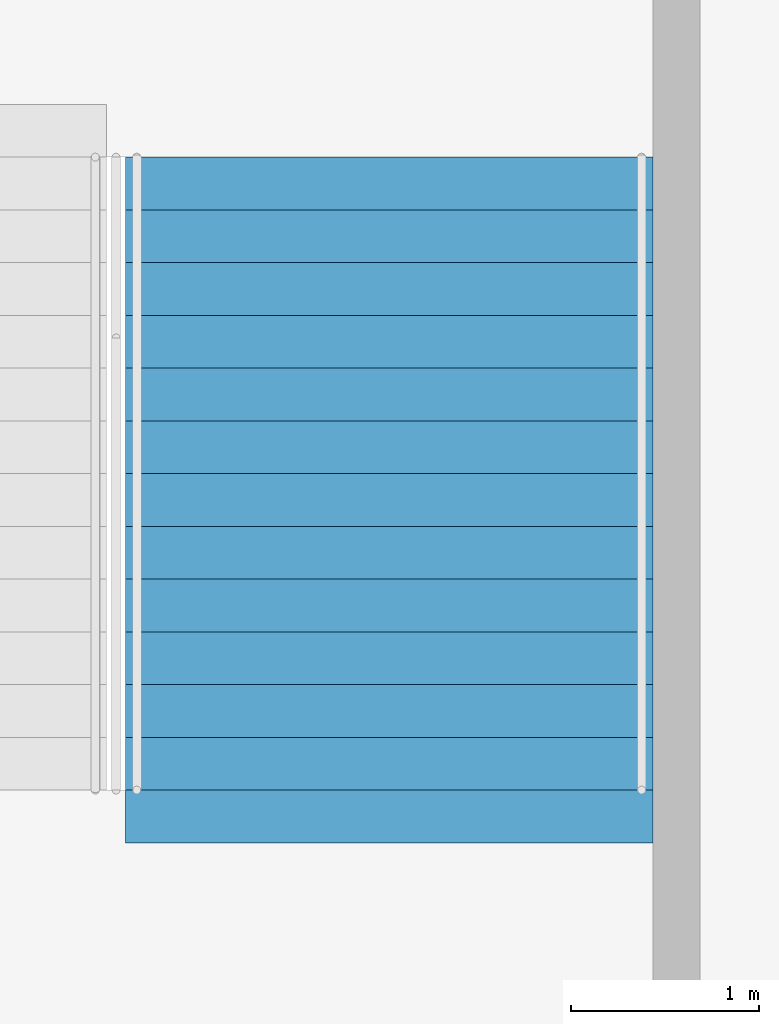
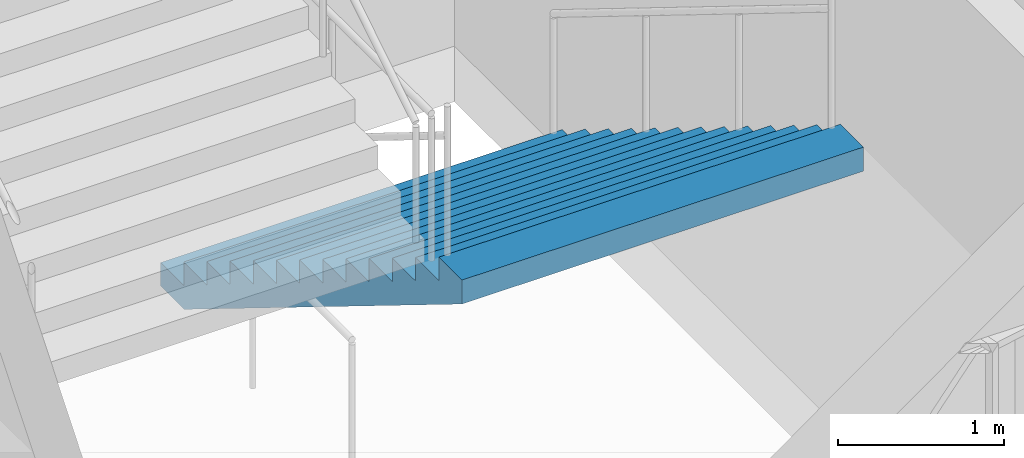
# One storey, part 127 of 199: 1 stair flight, 1 element without a shape of its own.
"""IFC4 building model written with IfcOpenShell, lengths in metres."""

from ifc_helpers import new_model, si_unit, direction, frame, origin, place, context, subcontext, project, spatial, faceted_brep, material, type_object, element, aggregate, save


model = new_model("IFC4")

# Units and contexts
model_context = context("Model", 3, precision=1e-05, world=origin(), true_north=direction((0.0, 1.0)))
body_context = subcontext(model_context, "Body", "Model", "MODEL_VIEW")
ifc_project = project(units=[si_unit("LENGTHUNIT", "METRE"), si_unit("AREAUNIT", "SQUARE_METRE"), si_unit("VOLUMEUNIT", "CUBIC_METRE"), si_unit("PLANEANGLEUNIT", "RADIAN"), si_unit("MASSUNIT", "GRAM", prefix="KILO")], contexts=[model_context])

# Site, building, storey
site_placement = place(None, origin())
site = spatial("IfcSite", under=ifc_project, at=site_placement, CompositionType="ELEMENT")
building_placement = place(site_placement, origin())
building = spatial("IfcBuilding", under=site, at=building_placement, Name="Ogive Plaza Stadium", CompositionType="ELEMENT")
storey_placement = place(building_placement, frame((0.0, 0.0, 4.5)))
storey = spatial("IfcBuildingStorey", under=building, at=storey_placement, Name="L01", CompositionType="ELEMENT", Elevation=4.5)

# Stair, stair flight
ifc_material_1 = material(Name="Concrete C40/50", Category="concrete")
stair_type = type_object("IfcStairType", Name="Exit stair", PredefinedType="STRAIGHT_RUN_STAIR", material=ifc_material_1)
stair_placement = place(storey_placement, origin())
stair = element("IfcStair", 1, at=stair_placement, inside=storey, type_object=stair_type, Name="Exit stair ST12B L01 to L02", PredefinedType="STRAIGHT_RUN_STAIR")
ifc_material_2 = material(Name="Concrete C40/50", Category="concrete")
stair_flight_type = type_object("IfcStairFlightType", Name="Exit stair flight", PredefinedType="STRAIGHT", material=ifc_material_2)
stair_flight_placement = place(storey_placement, frame((38.425048828125, -94.85009765625, 0.0), z_axis=(0.0, 0.0, 1.0), x_axis=(0.0, -1.0, 0.0)))
stair_flight = element("IfcStairFlight", 2, at=stair_flight_placement, type_object=stair_flight_type, Name="ST12B flight 1", NumberOfRisers=13, NumberOfTreads=12, PredefinedType="STRAIGHT", RiserHeight=0.173076923, TreadLength=0.28, context=body_context, shape_type="Brep", body=[
    faceted_brep([(0.28515625, -1.39990234375, 0.0), (3.639892578125, -1.39990234375, 2.07373046875), (3.639892578125, -1.39990234375, 2.25), (3.360107421875, -1.39990234375, 2.25), (3.360107421875, -1.39990234375, 2.076904296875), (3.080078125, -1.39990234375, 2.076904296875), (3.080078125, -1.39990234375, 1.90380859375), (2.800048828125, -1.39990234375, 1.90380859375), (2.800048828125, -1.39990234375, 1.730712890625), (2.52001953125, -1.39990234375, 1.730712890625), (2.52001953125, -1.39990234375, 1.5576171875), (2.239990234375, -1.39990234375, 1.5576171875), (2.239990234375, -1.39990234375, 1.384521484375), (1.9599609375, -1.39990234375, 1.384521484375), (1.9599609375, -1.39990234375, 1.21142578125), (1.679931640625, -1.39990234375, 1.21142578125), (1.679931640625, -1.39990234375, 1.03857421875), (1.39990234375, -1.39990234375, 1.03857421875), (1.39990234375, -1.39990234375, 0.865478515625), (1.1201171875, -1.39990234375, 0.865478515625), (1.1201171875, -1.39990234375, 0.6923828125), (0.840087890625, -1.39990234375, 0.6923828125), (0.840087890625, -1.39990234375, 0.519287109375), (0.56005859375, -1.39990234375, 0.519287109375), (0.56005859375, -1.39990234375, 0.34619140625), (0.280029296875, -1.39990234375, 0.34619140625), (0.280029296875, -1.39990234375, 0.173095703125), (0.0, -1.39990234375, 0.173095703125), (0.0, -1.39990234375, 0.0), (0.0, 1.39990234375, 0.0), (0.0, 1.39990234375, 0.173095703125), (0.280029296875, 1.39990234375, 0.173095703125), (0.280029296875, 1.39990234375, 0.34619140625), (0.56005859375, 1.39990234375, 0.34619140625), (0.56005859375, 1.39990234375, 0.519287109375), (0.840087890625, 1.39990234375, 0.519287109375), (0.840087890625, 1.39990234375, 0.6923828125), (1.1201171875, 1.39990234375, 0.6923828125), (1.1201171875, 1.39990234375, 0.865478515625), (1.39990234375, 1.39990234375, 0.865478515625), (1.39990234375, 1.39990234375, 1.03857421875), (1.679931640625, 1.39990234375, 1.03857421875), (1.679931640625, 1.39990234375, 1.21142578125), (1.9599609375, 1.39990234375, 1.21142578125), (1.9599609375, 1.39990234375, 1.384521484375), (2.239990234375, 1.39990234375, 1.384521484375), (2.239990234375, 1.39990234375, 1.5576171875), (2.52001953125, 1.39990234375, 1.5576171875), (2.52001953125, 1.39990234375, 1.730712890625), (2.800048828125, 1.39990234375, 1.730712890625), (2.800048828125, 1.39990234375, 1.90380859375), (3.080078125, 1.39990234375, 1.90380859375), (3.080078125, 1.39990234375, 2.076904296875), (3.360107421875, 1.39990234375, 2.076904296875), (3.360107421875, 1.39990234375, 2.25), (3.639892578125, 1.39990234375, 2.25), (3.639892578125, 1.39990234375, 2.07373046875), (0.28515625, 1.39990234375, 0.0), (0.28515625, -1.0888671875, 0.0), (3.639892578125, -1.0888671875, 2.07373046875), (0.28515625, -0.77783203125, 0.0), (3.639892578125, -0.77783203125, 2.07373046875), (0.28515625, -0.466796875, 0.0), (3.639892578125, -0.466796875, 2.07373046875), (0.28515625, -0.155517578125, 0.0), (3.639892578125, -0.155517578125, 2.07373046875), (0.28515625, 0.155517578125, 0.0), (3.639892578125, 0.155517578125, 2.07373046875), (0.28515625, 0.466796875, 0.0), (3.639892578125, 0.466796875, 2.07373046875), (0.28515625, 0.77783203125, 0.0), (3.639892578125, 0.77783203125, 2.07373046875), (0.28515625, 1.0888671875, 0.0), (3.639892578125, 1.0888671875, 2.07373046875), (3.639892578125, -1.0888671875, 2.25), (3.639892578125, -0.77783203125, 2.25), (3.639892578125, -0.466796875, 2.25), (3.639892578125, -0.155517578125, 2.25), (3.639892578125, 0.155517578125, 2.25), (3.639892578125, 0.466796875, 2.25), (3.639892578125, 0.77783203125, 2.25), (3.639892578125, 1.0888671875, 2.25), (3.360107421875, -1.0888671875, 2.25), (3.360107421875, -0.77783203125, 2.25), (3.360107421875, -0.466796875, 2.25), (3.360107421875, -0.155517578125, 2.25), (3.360107421875, 0.155517578125, 2.25), (3.360107421875, 0.466796875, 2.25), (3.360107421875, 0.77783203125, 2.25), (3.360107421875, 1.0888671875, 2.25), (3.360107421875, -1.0888671875, 2.076904296875), (3.360107421875, -0.77783203125, 2.076904296875), (3.360107421875, -0.466796875, 2.076904296875), (3.360107421875, -0.155517578125, 2.076904296875), (3.360107421875, 0.155517578125, 2.076904296875), (3.360107421875, 0.466796875, 2.076904296875), (3.360107421875, 0.77783203125, 2.076904296875), (3.360107421875, 1.0888671875, 2.076904296875), (3.080078125, -1.0888671875, 2.076904296875), (3.080078125, -0.77783203125, 2.076904296875), (3.080078125, -0.466796875, 2.076904296875), (3.080078125, -0.155517578125, 2.076904296875), (3.080078125, 0.155517578125, 2.076904296875), (3.080078125, 0.466796875, 2.076904296875), (3.080078125, 0.77783203125, 2.076904296875), (3.080078125, 1.0888671875, 2.076904296875), (3.080078125, -1.0888671875, 1.90380859375), (3.080078125, -0.77783203125, 1.90380859375), (3.080078125, -0.466796875, 1.90380859375), (3.080078125, -0.155517578125, 1.90380859375), (3.080078125, 0.155517578125, 1.90380859375), (3.080078125, 0.466796875, 1.90380859375), (3.080078125, 0.77783203125, 1.90380859375), (3.080078125, 1.0888671875, 1.90380859375), (2.800048828125, -1.0888671875, 1.90380859375), (2.800048828125, -0.77783203125, 1.90380859375), (2.800048828125, -0.466796875, 1.90380859375), (2.800048828125, -0.155517578125, 1.90380859375), (2.800048828125, 0.155517578125, 1.90380859375), (2.800048828125, 0.466796875, 1.90380859375), (2.800048828125, 0.77783203125, 1.90380859375), (2.800048828125, 1.0888671875, 1.90380859375), (2.800048828125, -1.0888671875, 1.730712890625), (2.800048828125, -0.77783203125, 1.730712890625), (2.800048828125, -0.466796875, 1.730712890625), (2.800048828125, -0.155517578125, 1.730712890625), (2.800048828125, 0.155517578125, 1.730712890625), (2.800048828125, 0.466796875, 1.730712890625), (2.800048828125, 0.77783203125, 1.730712890625), (2.800048828125, 1.0888671875, 1.730712890625), (2.52001953125, -1.0888671875, 1.730712890625), (2.52001953125, -0.77783203125, 1.730712890625), (2.52001953125, -0.466796875, 1.730712890625), (2.52001953125, -0.155517578125, 1.730712890625), (2.52001953125, 0.155517578125, 1.730712890625), (2.52001953125, 0.466796875, 1.730712890625), (2.52001953125, 0.77783203125, 1.730712890625), (2.52001953125, 1.0888671875, 1.730712890625), (2.52001953125, -1.0888671875, 1.5576171875), (2.52001953125, -0.77783203125, 1.5576171875), (2.52001953125, -0.466796875, 1.5576171875), (2.52001953125, -0.155517578125, 1.5576171875), (2.52001953125, 0.155517578125, 1.5576171875), (2.52001953125, 0.466796875, 1.5576171875), (2.52001953125, 0.77783203125, 1.5576171875), (2.52001953125, 1.0888671875, 1.5576171875), (2.239990234375, -1.0888671875, 1.5576171875), (2.239990234375, -0.77783203125, 1.5576171875), (2.239990234375, -0.466796875, 1.5576171875), (2.239990234375, -0.155517578125, 1.5576171875), (2.239990234375, 0.155517578125, 1.5576171875), (2.239990234375, 0.466796875, 1.5576171875), (2.239990234375, 0.77783203125, 1.5576171875), (2.239990234375, 1.0888671875, 1.5576171875), (2.239990234375, -1.0888671875, 1.384521484375), (2.239990234375, -0.77783203125, 1.384521484375), (2.239990234375, -0.466796875, 1.384521484375), (2.239990234375, -0.155517578125, 1.384521484375), (2.239990234375, 0.155517578125, 1.384521484375), (2.239990234375, 0.466796875, 1.384521484375), (2.239990234375, 0.77783203125, 1.384521484375), (2.239990234375, 1.0888671875, 1.384521484375), (1.9599609375, -1.0888671875, 1.384521484375), (1.9599609375, -0.77783203125, 1.384521484375), (1.9599609375, -0.466796875, 1.384521484375), (1.9599609375, -0.155517578125, 1.384521484375), (1.9599609375, 0.155517578125, 1.384521484375), (1.9599609375, 0.466796875, 1.384521484375), (1.9599609375, 0.77783203125, 1.384521484375), (1.9599609375, 1.0888671875, 1.384521484375), (1.9599609375, -1.0888671875, 1.21142578125), (1.9599609375, -0.77783203125, 1.21142578125), (1.9599609375, -0.466796875, 1.21142578125), (1.9599609375, -0.155517578125, 1.21142578125), (1.9599609375, 0.155517578125, 1.21142578125), (1.9599609375, 0.466796875, 1.21142578125), (1.9599609375, 0.77783203125, 1.21142578125), (1.9599609375, 1.0888671875, 1.21142578125), (1.679931640625, -1.0888671875, 1.21142578125), (1.679931640625, -0.77783203125, 1.21142578125), (1.679931640625, -0.466796875, 1.21142578125), (1.679931640625, -0.155517578125, 1.21142578125), (1.679931640625, 0.155517578125, 1.21142578125), (1.679931640625, 0.466796875, 1.21142578125), (1.679931640625, 0.77783203125, 1.21142578125), (1.679931640625, 1.0888671875, 1.21142578125), (1.679931640625, -1.0888671875, 1.03857421875), (1.679931640625, -0.77783203125, 1.03857421875), (1.679931640625, -0.466796875, 1.03857421875), (1.679931640625, -0.155517578125, 1.03857421875), (1.679931640625, 0.155517578125, 1.03857421875), (1.679931640625, 0.466796875, 1.03857421875), (1.679931640625, 0.77783203125, 1.03857421875), (1.679931640625, 1.0888671875, 1.03857421875), (1.39990234375, -1.0888671875, 1.03857421875), (1.39990234375, -0.77783203125, 1.03857421875), (1.39990234375, -0.466796875, 1.03857421875), (1.39990234375, -0.155517578125, 1.03857421875), (1.39990234375, 0.155517578125, 1.03857421875), (1.39990234375, 0.466796875, 1.03857421875), (1.39990234375, 0.77783203125, 1.03857421875), (1.39990234375, 1.0888671875, 1.03857421875), (1.39990234375, -1.0888671875, 0.865478515625), (1.39990234375, -0.77783203125, 0.865478515625), (1.39990234375, -0.466796875, 0.865478515625), (1.39990234375, -0.155517578125, 0.865478515625), (1.39990234375, 0.155517578125, 0.865478515625), (1.39990234375, 0.466796875, 0.865478515625), (1.39990234375, 0.77783203125, 0.865478515625), (1.39990234375, 1.0888671875, 0.865478515625), (1.1201171875, -1.0888671875, 0.865478515625), (1.1201171875, -0.77783203125, 0.865478515625), (1.1201171875, -0.466796875, 0.865478515625), (1.1201171875, -0.155517578125, 0.865478515625), (1.1201171875, 0.155517578125, 0.865478515625), (1.1201171875, 0.466796875, 0.865478515625), (1.1201171875, 0.77783203125, 0.865478515625), (1.1201171875, 1.0888671875, 0.865478515625), (1.1201171875, -1.0888671875, 0.6923828125), (1.1201171875, -0.77783203125, 0.6923828125), (1.1201171875, -0.466796875, 0.6923828125), (1.1201171875, -0.155517578125, 0.6923828125), (1.1201171875, 0.155517578125, 0.6923828125), (1.1201171875, 0.466796875, 0.6923828125), (1.1201171875, 0.77783203125, 0.6923828125), (1.1201171875, 1.0888671875, 0.6923828125), (0.840087890625, -1.0888671875, 0.6923828125), (0.840087890625, -0.77783203125, 0.6923828125), (0.840087890625, -0.466796875, 0.6923828125), (0.840087890625, -0.155517578125, 0.6923828125), (0.840087890625, 0.155517578125, 0.6923828125), (0.840087890625, 0.466796875, 0.6923828125), (0.840087890625, 0.77783203125, 0.6923828125), (0.840087890625, 1.0888671875, 0.6923828125), (0.840087890625, -1.0888671875, 0.519287109375), (0.840087890625, -0.77783203125, 0.519287109375), (0.840087890625, -0.466796875, 0.519287109375), (0.840087890625, -0.155517578125, 0.519287109375), (0.840087890625, 0.155517578125, 0.519287109375), (0.840087890625, 0.466796875, 0.519287109375), (0.840087890625, 0.77783203125, 0.519287109375), (0.840087890625, 1.0888671875, 0.519287109375), (0.56005859375, -1.0888671875, 0.519287109375), (0.56005859375, -0.77783203125, 0.519287109375), (0.56005859375, -0.466796875, 0.519287109375), (0.56005859375, -0.155517578125, 0.519287109375), (0.56005859375, 0.155517578125, 0.519287109375), (0.56005859375, 0.466796875, 0.519287109375), (0.56005859375, 0.77783203125, 0.519287109375), (0.56005859375, 1.0888671875, 0.519287109375), (0.56005859375, -1.0888671875, 0.34619140625), (0.56005859375, -0.77783203125, 0.34619140625), (0.56005859375, -0.466796875, 0.34619140625), (0.56005859375, -0.155517578125, 0.34619140625), (0.56005859375, 0.155517578125, 0.34619140625), (0.56005859375, 0.466796875, 0.34619140625), (0.56005859375, 0.77783203125, 0.34619140625), (0.56005859375, 1.0888671875, 0.34619140625), (0.280029296875, -1.0888671875, 0.34619140625), (0.280029296875, -0.77783203125, 0.34619140625), (0.280029296875, -0.466796875, 0.34619140625), (0.280029296875, -0.155517578125, 0.34619140625), (0.280029296875, 0.155517578125, 0.34619140625), (0.280029296875, 0.466796875, 0.34619140625), (0.280029296875, 0.77783203125, 0.34619140625), (0.280029296875, 1.0888671875, 0.34619140625), (0.280029296875, -1.0888671875, 0.173095703125), (0.280029296875, -0.77783203125, 0.173095703125), (0.280029296875, -0.466796875, 0.173095703125), (0.280029296875, -0.155517578125, 0.173095703125), (0.280029296875, 0.155517578125, 0.173095703125), (0.280029296875, 0.466796875, 0.173095703125), (0.280029296875, 0.77783203125, 0.173095703125), (0.280029296875, 1.0888671875, 0.173095703125), (0.0, -1.0888671875, 0.173095703125), (0.0, -0.77783203125, 0.173095703125), (0.0, -0.466796875, 0.173095703125), (0.0, -0.155517578125, 0.173095703125), (0.0, 0.155517578125, 0.173095703125), (0.0, 0.466796875, 0.173095703125), (0.0, 0.77783203125, 0.173095703125), (0.0, 1.0888671875, 0.173095703125), (0.0, -1.0888671875, 0.0), (0.0, -0.77783203125, 0.0), (0.0, -0.466796875, 0.0), (0.0, -0.155517578125, 0.0), (0.0, 0.155517578125, 0.0), (0.0, 0.466796875, 0.0), (0.0, 0.77783203125, 0.0), (0.0, 1.0888671875, 0.0)], [[[0, 1, 2, 3, 4, 5, 6, 7, 8, 9, 10, 11, 12, 13, 14, 15, 16, 17, 18, 19, 20, 21, 22, 23, 24, 25, 26, 27, 28]], [[29, 30, 31, 32, 33, 34, 35, 36, 37, 38, 39, 40, 41, 42, 43, 44, 45, 46, 47, 48, 49, 50, 51, 52, 53, 54, 55, 56, 57]], [[0, 58, 59, 1]], [[58, 60, 61, 59]], [[60, 62, 63, 61]], [[62, 64, 65, 63]], [[64, 66, 67, 65]], [[66, 68, 69, 67]], [[68, 70, 71, 69]], [[70, 72, 73, 71]], [[72, 57, 56, 73]], [[1, 59, 74, 2]], [[59, 61, 75, 74]], [[61, 63, 76, 75]], [[63, 65, 77, 76]], [[65, 67, 78, 77]], [[67, 69, 79, 78]], [[69, 71, 80, 79]], [[71, 73, 81, 80]], [[73, 56, 55, 81]], [[2, 74, 82, 3]], [[74, 75, 83, 82]], [[75, 76, 84, 83]], [[76, 77, 85, 84]], [[77, 78, 86, 85]], [[78, 79, 87, 86]], [[79, 80, 88, 87]], [[80, 81, 89, 88]], [[81, 55, 54, 89]], [[3, 82, 90, 4]], [[82, 83, 91, 90]], [[83, 84, 92, 91]], [[84, 85, 93, 92]], [[85, 86, 94, 93]], [[86, 87, 95, 94]], [[87, 88, 96, 95]], [[88, 89, 97, 96]], [[89, 54, 53, 97]], [[4, 90, 98, 5]], [[90, 91, 99, 98]], [[91, 92, 100, 99]], [[92, 93, 101, 100]], [[93, 94, 102, 101]], [[94, 95, 103, 102]], [[95, 96, 104, 103]], [[96, 97, 105, 104]], [[97, 53, 52, 105]], [[5, 98, 106, 6]], [[98, 99, 107, 106]], [[99, 100, 108, 107]], [[100, 101, 109, 108]], [[101, 102, 110, 109]], [[102, 103, 111, 110]], [[103, 104, 112, 111]], [[104, 105, 113, 112]], [[105, 52, 51, 113]], [[6, 106, 114, 7]], [[106, 107, 115, 114]], [[107, 108, 116, 115]], [[108, 109, 117, 116]], [[109, 110, 118, 117]], [[110, 111, 119, 118]], [[111, 112, 120, 119]], [[112, 113, 121, 120]], [[113, 51, 50, 121]], [[7, 114, 122, 8]], [[114, 115, 123, 122]], [[115, 116, 124, 123]], [[116, 117, 125, 124]], [[117, 118, 126, 125]], [[118, 119, 127, 126]], [[119, 120, 128, 127]], [[120, 121, 129, 128]], [[121, 50, 49, 129]], [[8, 122, 130, 9]], [[122, 123, 131, 130]], [[123, 124, 132, 131]], [[124, 125, 133, 132]], [[125, 126, 134, 133]], [[126, 127, 135, 134]], [[127, 128, 136, 135]], [[128, 129, 137, 136]], [[129, 49, 48, 137]], [[9, 130, 138, 10]], [[130, 131, 139, 138]], [[131, 132, 140, 139]], [[132, 133, 141, 140]], [[133, 134, 142, 141]], [[134, 135, 143, 142]], [[135, 136, 144, 143]], [[136, 137, 145, 144]], [[137, 48, 47, 145]], [[10, 138, 146, 11]], [[138, 139, 147, 146]], [[139, 140, 148, 147]], [[140, 141, 149, 148]], [[141, 142, 150, 149]], [[142, 143, 151, 150]], [[143, 144, 152, 151]], [[144, 145, 153, 152]], [[145, 47, 46, 153]], [[11, 146, 154, 12]], [[146, 147, 155, 154]], [[147, 148, 156, 155]], [[148, 149, 157, 156]], [[149, 150, 158, 157]], [[150, 151, 159, 158]], [[151, 152, 160, 159]], [[152, 153, 161, 160]], [[153, 46, 45, 161]], [[12, 154, 162, 13]], [[154, 155, 163, 162]], [[155, 156, 164, 163]], [[156, 157, 165, 164]], [[157, 158, 166, 165]], [[158, 159, 167, 166]], [[159, 160, 168, 167]], [[160, 161, 169, 168]], [[161, 45, 44, 169]], [[13, 162, 170, 14]], [[162, 163, 171, 170]], [[163, 164, 172, 171]], [[164, 165, 173, 172]], [[165, 166, 174, 173]], [[166, 167, 175, 174]], [[167, 168, 176, 175]], [[168, 169, 177, 176]], [[169, 44, 43, 177]], [[14, 170, 178, 15]], [[170, 171, 179, 178]], [[171, 172, 180, 179]], [[172, 173, 181, 180]], [[173, 174, 182, 181]], [[174, 175, 183, 182]], [[175, 176, 184, 183]], [[176, 177, 185, 184]], [[177, 43, 42, 185]], [[15, 178, 186, 16]], [[178, 179, 187, 186]], [[179, 180, 188, 187]], [[180, 181, 189, 188]], [[181, 182, 190, 189]], [[182, 183, 191, 190]], [[183, 184, 192, 191]], [[184, 185, 193, 192]], [[185, 42, 41, 193]], [[16, 186, 194, 17]], [[186, 187, 195, 194]], [[187, 188, 196, 195]], [[188, 189, 197, 196]], [[189, 190, 198, 197]], [[190, 191, 199, 198]], [[191, 192, 200, 199]], [[192, 193, 201, 200]], [[193, 41, 40, 201]], [[17, 194, 202, 18]], [[194, 195, 203, 202]], [[195, 196, 204, 203]], [[196, 197, 205, 204]], [[197, 198, 206, 205]], [[198, 199, 207, 206]], [[199, 200, 208, 207]], [[200, 201, 209, 208]], [[201, 40, 39, 209]], [[18, 202, 210, 19]], [[202, 203, 211, 210]], [[203, 204, 212, 211]], [[204, 205, 213, 212]], [[205, 206, 214, 213]], [[206, 207, 215, 214]], [[207, 208, 216, 215]], [[208, 209, 217, 216]], [[209, 39, 38, 217]], [[19, 210, 218, 20]], [[210, 211, 219, 218]], [[211, 212, 220, 219]], [[212, 213, 221, 220]], [[213, 214, 222, 221]], [[214, 215, 223, 222]], [[215, 216, 224, 223]], [[216, 217, 225, 224]], [[217, 38, 37, 225]], [[20, 218, 226, 21]], [[218, 219, 227, 226]], [[219, 220, 228, 227]], [[220, 221, 229, 228]], [[221, 222, 230, 229]], [[222, 223, 231, 230]], [[223, 224, 232, 231]], [[224, 225, 233, 232]], [[225, 37, 36, 233]], [[21, 226, 234, 22]], [[226, 227, 235, 234]], [[227, 228, 236, 235]], [[228, 229, 237, 236]], [[229, 230, 238, 237]], [[230, 231, 239, 238]], [[231, 232, 240, 239]], [[232, 233, 241, 240]], [[233, 36, 35, 241]], [[22, 234, 242, 23]], [[234, 235, 243, 242]], [[235, 236, 244, 243]], [[236, 237, 245, 244]], [[237, 238, 246, 245]], [[238, 239, 247, 246]], [[239, 240, 248, 247]], [[240, 241, 249, 248]], [[241, 35, 34, 249]], [[23, 242, 250, 24]], [[242, 243, 251, 250]], [[243, 244, 252, 251]], [[244, 245, 253, 252]], [[245, 246, 254, 253]], [[246, 247, 255, 254]], [[247, 248, 256, 255]], [[248, 249, 257, 256]], [[249, 34, 33, 257]], [[24, 250, 258, 25]], [[250, 251, 259, 258]], [[251, 252, 260, 259]], [[252, 253, 261, 260]], [[253, 254, 262, 261]], [[254, 255, 263, 262]], [[255, 256, 264, 263]], [[256, 257, 265, 264]], [[257, 33, 32, 265]], [[25, 258, 266, 26]], [[258, 259, 267, 266]], [[259, 260, 268, 267]], [[260, 261, 269, 268]], [[261, 262, 270, 269]], [[262, 263, 271, 270]], [[263, 264, 272, 271]], [[264, 265, 273, 272]], [[265, 32, 31, 273]], [[26, 266, 274, 27]], [[266, 267, 275, 274]], [[267, 268, 276, 275]], [[268, 269, 277, 276]], [[269, 270, 278, 277]], [[270, 271, 279, 278]], [[271, 272, 280, 279]], [[272, 273, 281, 280]], [[273, 31, 30, 281]], [[27, 274, 282, 28]], [[274, 275, 283, 282]], [[275, 276, 284, 283]], [[276, 277, 285, 284]], [[277, 278, 286, 285]], [[278, 279, 287, 286]], [[279, 280, 288, 287]], [[280, 281, 289, 288]], [[281, 30, 29, 289]], [[28, 282, 58, 0]], [[282, 283, 60, 58]], [[283, 284, 62, 60]], [[284, 285, 64, 62]], [[285, 286, 66, 64]], [[286, 287, 68, 66]], [[287, 288, 70, 68]], [[288, 289, 72, 70]], [[289, 29, 57, 72]]]),
])
aggregate(stair, [stair_flight])

save(model, "model.ifc")
